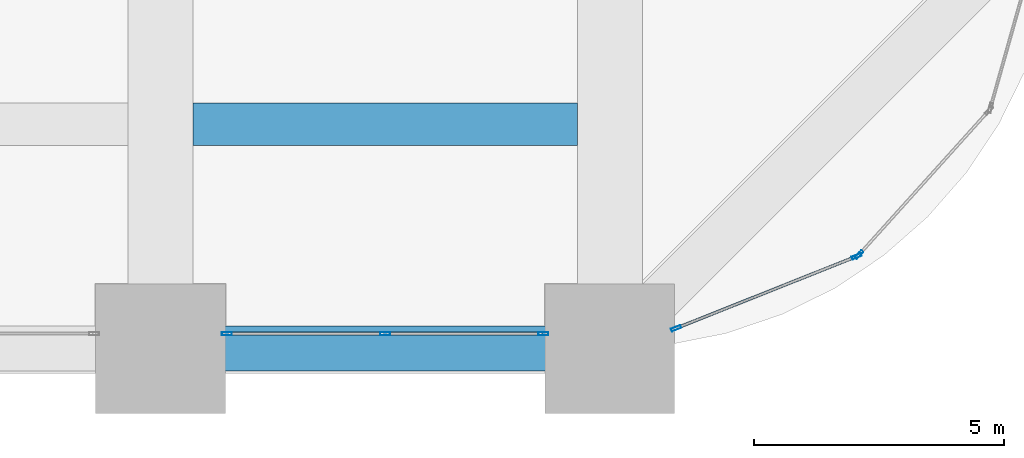
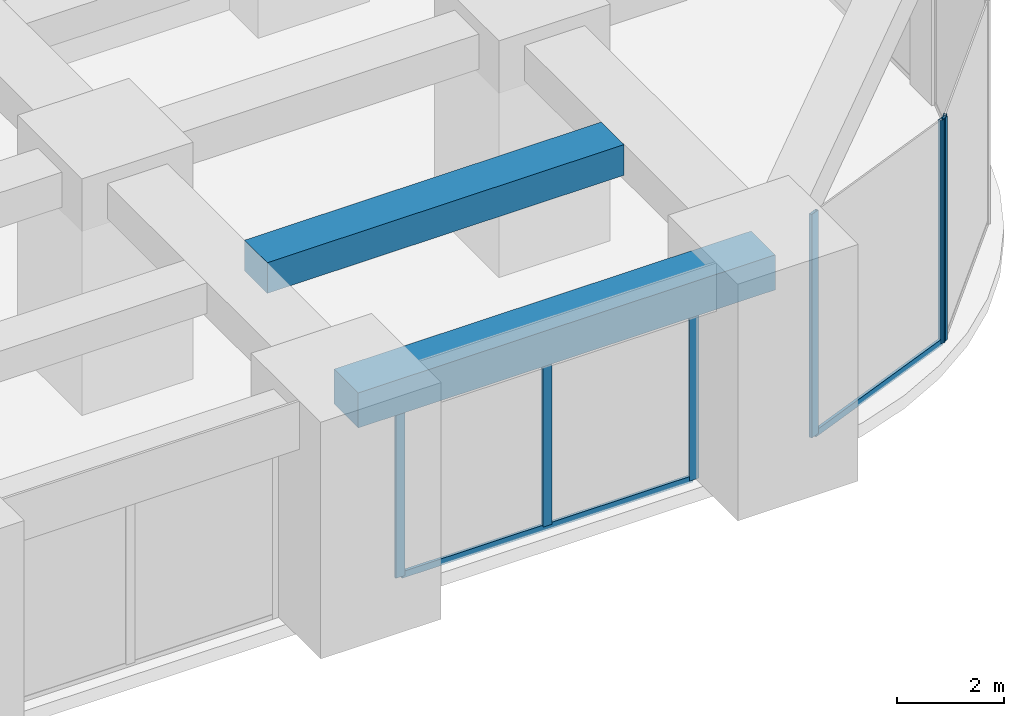
# One storey, part 30 of 45: 8 members, 2 beams, 3 elements without a shape of their own.
"""IFC4 building model written with IfcOpenShell, lengths in metres."""

from ifc_helpers import new_model, si_unit, direction, frame, origin, origin_2d, place, context, subcontext, project, spatial, rectangle, hollow_rectangle, extrude, material, material_profile, profile_set, type_object, element, aggregate, save


model = new_model("IFC4")

# Units and contexts
model_context = context("Model", 3, precision=1e-05, world=origin(), true_north=direction((0.0, 1.0)))
body_context = subcontext(model_context, "Body", "Model", "MODEL_VIEW")
ifc_project = project(units=[si_unit("LENGTHUNIT", "METRE"), si_unit("AREAUNIT", "SQUARE_METRE"), si_unit("VOLUMEUNIT", "CUBIC_METRE"), si_unit("PLANEANGLEUNIT", "RADIAN"), si_unit("MASSUNIT", "GRAM", prefix="KILO")], contexts=[model_context])

# Site, building, storey
site_placement = place(None, origin())
site = spatial("IfcSite", under=ifc_project, at=site_placement, CompositionType="ELEMENT")
building_placement = place(site_placement, origin())
building = spatial("IfcBuilding", under=site, at=building_placement, Name="Zorevar Civic Tower", CompositionType="ELEMENT")
storey_placement = place(building_placement, frame((0.0, 0.0, 5.39990234375)))
storey = spatial("IfcBuildingStorey", under=building, at=storey_placement, Name="L01", CompositionType="ELEMENT", Elevation=5.39990234375)

# Beam
ifc_material_1 = material(Name="Concrete C50/60", Category="concrete")
ifc_material_profile_1 = material_profile(ifc_material_1, rectangle(XDim=0.85009765625, YDim=0.699951171875, at=origin_2d()), Name="RC 850x700")
ifc_profile_set_1 = profile_set([ifc_material_profile_1], Name="Concrete C50/60")
beam_type_1 = type_object("IfcBeamType", Name="Beam RC 850x700", PredefinedType="BEAM", material=ifc_profile_set_1)
beam_1_placement = place(storey_placement, frame((54.64990234375, 4.5, 4.75), z_axis=(1.0, 0.0, 0.0), x_axis=(0.0, 1.0, 0.0)))
element("IfcBeam", 1, at=beam_1_placement, inside=storey, type_object=beam_type_1, Name="Secondary beam L02", PredefinedType="BEAM", context=body_context, shape_type="SweptSolid", body=[
    extrude(rectangle(XDim=0.85009765625, YDim=0.699951171875, at=origin_2d()), origin(), (0.0, 0.0, 1.0), 7.7001953125),
])

# Curtain wall, members
ifc_material_2 = material(Name="Dark grey solar-control glass in black aluminium frame", Category="aluminium")
curtain_wall_type = type_object("IfcCurtainWallType", Name="Curtain wall CW1 podium", PredefinedType="NOTDEFINED", material=ifc_material_2)
curtain_wall_1_placement = place(storey_placement, origin())
curtain_wall_1 = element("IfcCurtainWall", 2, at=curtain_wall_1_placement, inside=storey, type_object=curtain_wall_type, Name="CW1 L01", PredefinedType="NOTDEFINED")
ifc_material_3 = material(Name="Aluminium, black anodised", Category="aluminium")
ifc_material_profile_2 = material_profile(ifc_material_3, hollow_rectangle(XDim=0.06005859375, YDim=0.199951171875, WallThickness=0.00390625, at=origin_2d()), Name="AL 200x60x4")
ifc_profile_set_2 = profile_set([ifc_material_profile_2], Name="Aluminium, black anodised")
member_type_1 = type_object("IfcMemberType", Name="CW1 mullion AL 200x60x4", PredefinedType="MULLION", material=ifc_profile_set_2)
member_1_placement = place(storey_placement, frame((55.330078125, 0.300048828125, 0.0), z_axis=(0.0, 0.0, 1.0), x_axis=(0.0, 1.0, 0.0)))
member_1 = element("IfcMember", 3, at=member_1_placement, type_object=member_type_1, Name="CW1 mullion 1", PredefinedType="MULLION", context=body_context, shape_type="SweptSolid", body=[
    extrude(hollow_rectangle(XDim=0.06005859375, YDim=0.199951171875, WallThickness=0.00390625, at=origin_2d()), origin(), (0.0, 0.0, 1.0), 4.300048828125),
])
member_2_placement = place(storey_placement, frame((58.5, 0.300048828125, 0.06005859375), z_axis=(0.0, 0.0, 1.0), x_axis=(0.0, 1.0, 0.0)))
member_2 = element("IfcMember", 4, at=member_2_placement, type_object=member_type_1, Name="CW1 mullion 2", PredefinedType="MULLION", context=body_context, shape_type="SweptSolid", body=[
    extrude(hollow_rectangle(XDim=0.06005859375, YDim=0.199951171875, WallThickness=0.00390625, at=origin_2d()), origin(), (0.0, 0.0, 1.0), 4.239990234375),
])
member_3_placement = place(storey_placement, frame((61.669921875, 0.300048828125, 0.0), z_axis=(0.0, 0.0, 1.0), x_axis=(0.0, 1.0, 0.0)))
member_3 = element("IfcMember", 5, at=member_3_placement, type_object=member_type_1, Name="CW1 mullion 3", PredefinedType="MULLION", context=body_context, shape_type="SweptSolid", body=[
    extrude(hollow_rectangle(XDim=0.06005859375, YDim=0.199951171875, WallThickness=0.00390625, at=origin_2d()), origin(), (0.0, 0.0, 1.0), 4.300048828125),
])

curtain_wall_2_placement = place(storey_placement, origin())
curtain_wall_2 = element("IfcCurtainWall", 6, at=curtain_wall_2_placement, inside=storey, type_object=curtain_wall_type, Name="CW1 L01", PredefinedType="NOTDEFINED")
member_4_placement = place(storey_placement, frame((64.327880859375, 0.408935546875, 0.0), z_axis=(0.0, 0.0, 1.0), x_axis=(-0.370110964218, 0.928987553289, 0.0)))
member_4 = element("IfcMember", 7, at=member_4_placement, type_object=member_type_1, Name="CW1 mullion 1", PredefinedType="MULLION", context=body_context, shape_type="SweptSolid", body=[
    extrude(hollow_rectangle(XDim=0.06005859375, YDim=0.199951171875, WallThickness=0.00390625, at=origin_2d()), origin(), (0.0, 0.0, 1.0), 5.10009765625),
])
member_5_placement = place(storey_placement, frame((67.943603515625, 1.849365234375, 0.0), z_axis=(0.0, 0.0, 1.0), x_axis=(-0.370110964218, 0.928987553289, 0.0)))
member_5 = element("IfcMember", 8, at=member_5_placement, type_object=member_type_1, Name="CW1 mullion 2", PredefinedType="MULLION", context=body_context, shape_type="SweptSolid", body=[
    extrude(hollow_rectangle(XDim=0.06005859375, YDim=0.199951171875, WallThickness=0.00390625, at=origin_2d()), origin(), (0.0, 0.0, 1.0), 5.10009765625),
])

# Curtain wall, member
curtain_wall_3_placement = place(storey_placement, origin())
curtain_wall_3 = element("IfcCurtainWall", 9, at=curtain_wall_3_placement, inside=storey, type_object=curtain_wall_type, Name="CW1 L01", PredefinedType="NOTDEFINED")
member_6_placement = place(storey_placement, frame((67.991455078125, 1.8828125, 0.0), z_axis=(0.0, 0.0, 1.0), x_axis=(-0.742899688263, 0.669402758568, 0.0)))
member_6 = element("IfcMember", 10, at=member_6_placement, type_object=member_type_1, Name="CW1 mullion 1", PredefinedType="MULLION", context=body_context, shape_type="SweptSolid", body=[
    extrude(hollow_rectangle(XDim=0.06005859375, YDim=0.199951171875, WallThickness=0.00390625, at=origin_2d()), origin(), (0.0, 0.0, 1.0), 5.10009765625),
])
aggregate(curtain_wall_3, [member_6])

# Member
ifc_material_4 = material(Name="Aluminium, black anodised", Category="aluminium")
ifc_material_profile_3 = material_profile(ifc_material_4, hollow_rectangle(XDim=0.06005859375, YDim=0.14990234375, WallThickness=0.00390625, at=origin_2d()), Name="AL 150x60x4")
ifc_profile_set_3 = profile_set([ifc_material_profile_3], Name="Aluminium, black anodised")
member_type_2 = type_object("IfcMemberType", Name="CW1 transom AL 150x60x4", PredefinedType="USERDEFINED", material=ifc_profile_set_3)
member_7_placement = place(storey_placement, frame((55.360107421875, 0.300048828125, 0.030029296875), z_axis=(1.0, 0.0, 0.0), x_axis=(0.0, 1.0, 0.0)))
member_7 = element("IfcMember", 11, at=member_7_placement, type_object=member_type_2, Name="CW1 sill transom", ObjectType="TRANSOM", PredefinedType="USERDEFINED", context=body_context, shape_type="SweptSolid", body=[
    extrude(hollow_rectangle(XDim=0.06005859375, YDim=0.14990234375, WallThickness=0.00390625, at=origin_2d()), origin(), (0.0, 0.0, 1.0), 6.27978515625),
])

aggregate(curtain_wall_1, [member_1, member_2, member_3, member_7])

member_8_placement = place(storey_placement, frame((64.355712890625, 0.419921875, 0.030029296875), z_axis=(0.928998620575, 0.370083183851, 0.0), x_axis=(-0.370083183851, 0.928998620575, 0.0)))
member_8 = element("IfcMember", 12, at=member_8_placement, type_object=member_type_2, Name="CW1 sill transom", ObjectType="TRANSOM", PredefinedType="USERDEFINED", context=body_context, shape_type="SweptSolid", body=[
    extrude(hollow_rectangle(XDim=0.06005859375, YDim=0.14990234375, WallThickness=0.00390625, at=origin_2d()), origin(), (0.0, 0.0, 1.0), 3.83203125),
])

aggregate(curtain_wall_2, [member_4, member_5, member_8])

# Beam
ifc_material_5 = material(Name="Concrete C50/60", Category="concrete")
ifc_material_profile_4 = material_profile(ifc_material_5, rectangle(XDim=0.89990234375, YDim=0.800048828125, at=origin_2d()), Name="RC 900x800")
ifc_profile_set_4 = profile_set([ifc_material_profile_4], Name="Concrete C50/60")
beam_type_2 = type_object("IfcBeamType", Name="Edge beam RC 900x800", PredefinedType="SPANDREL", material=ifc_profile_set_4)
beam_2_placement = place(storey_placement, frame((54.0, 0.0, 4.7001953125), z_axis=(1.0, 0.0, 0.0), x_axis=(0.0, 1.0, 0.0)))
element("IfcBeam", 13, at=beam_2_placement, inside=storey, type_object=beam_type_2, Name="Edge beam L02", PredefinedType="SPANDREL", context=body_context, shape_type="SweptSolid", body=[
    extrude(rectangle(XDim=0.89990234375, YDim=0.800048828125, at=origin_2d()), origin(), (0.0, 0.0, 1.0), 9.0),
])

save(model, "model.ifc")
